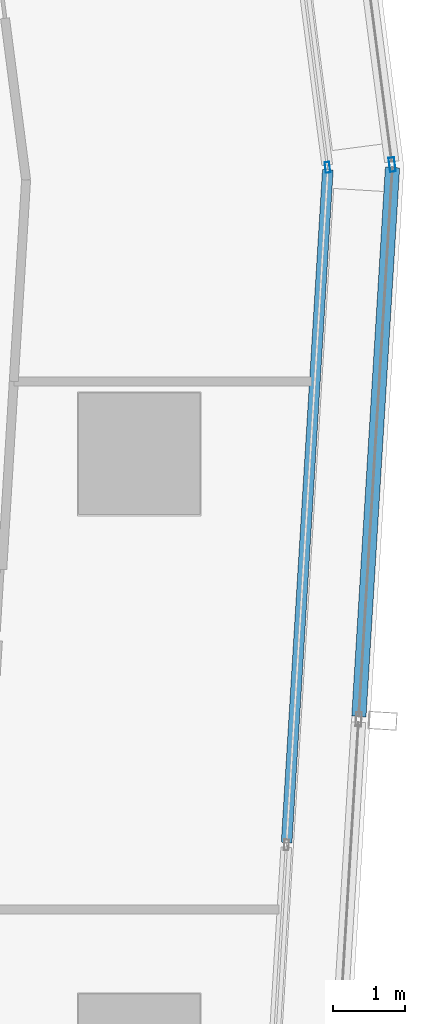
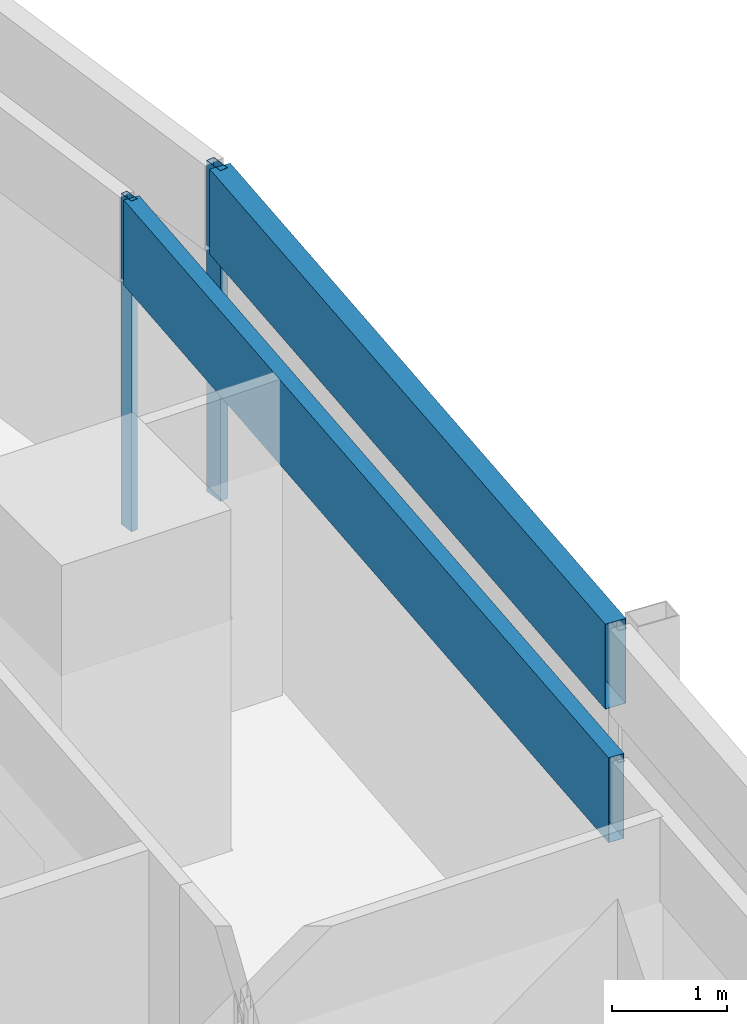
# One storey, part 25 of 40: 4 members, 4 elements without a shape of their own.
"""IFC4 building model written with IfcOpenShell, lengths in metres."""

import ifcopenshell
import ifcopenshell.guid

model = None  # the IFC model being written
_history = None  # IfcOwnerHistory: only IFC2X3 demands one
_inside = {}  # id of a spatial element -> (the spatial element, [elements in it])
_under = {}  # id of a project, library or spatial element -> (it, [spatial elements below it])
_declared = {}  # id of a project -> (the project, [libraries it declares])
_typed = {}  # id of a type object -> (the type object, [elements of that type])
_made_of = {}  # id of a material, layer set ... -> (it, [elements and type objects made of it])


def new_model(schema):
    """Start an empty IFC model of exactly this schema.

    Asked for "IFC4X3", IfcOpenShell would pick the latest addendum, in which some entities
    have other attributes; the version numbers below select the first issue.
    IFC2X3 requires an IfcOwnerHistory on every rooted entity: one is made here for all.
    """
    global model, _history
    if schema == "IFC4X3":
        model = ifcopenshell.file(schema_version=(4, 3, 0, 0))
    else:
        model = ifcopenshell.file(schema=schema)
    _inside.clear()
    _under.clear()
    _declared.clear()
    _typed.clear()
    _made_of.clear()
    _history = None
    if model.schema == "IFC2X3":
        org = make("IfcOrganization", Name="unknown")
        user = make(
            "IfcPersonAndOrganization",
            ThePerson=make("IfcPerson", FamilyName="unknown"),
            TheOrganization=org,
        )
        app = make(
            "IfcApplication",
            ApplicationDeveloper=org,
            Version="unknown",
            ApplicationFullName="unknown",
            ApplicationIdentifier="unknown",
        )
        _history = make(
            "IfcOwnerHistory",
            OwningUser=user,
            OwningApplication=app,
            ChangeAction="ADDED",
            CreationDate=0,
        )
    return model


def make(cls, **values):
    """One entity of the class cls with the attributes given. An attribute that is None is left unset."""
    return model.create_entity(
        cls, **{name: value for name, value in values.items() if value is not None}
    )


def rooted(cls, **values):
    """An entity with a GlobalId (a new one), such as an element, a storey or a relation."""
    return make(cls, GlobalId=ifcopenshell.guid.new(), OwnerHistory=_history, **values)


def si_unit(unit_type, name, prefix=None):
    """IfcSIUnit, for example si_unit("LENGTHUNIT", "METRE", prefix="MILLI")."""
    return make("IfcSIUnit", UnitType=unit_type, Prefix=prefix, Name=name)


def assignment(units):
    """IfcUnitAssignment: the units of a project."""
    return None if units is None else make("IfcUnitAssignment", Units=units)


def point(xyz):
    """IfcCartesianPoint."""
    return None if xyz is None else make("IfcCartesianPoint", Coordinates=xyz)


def direction(xyz):
    """IfcDirection."""
    return None if xyz is None else make("IfcDirection", DirectionRatios=xyz)


def frame(location, z_axis=None, x_axis=None):
    """IfcAxis2Placement3D, a coordinate frame: its origin and axes. An axis left out is left unset."""
    return make(
        "IfcAxis2Placement3D",
        Location=point(location),
        Axis=direction(z_axis),
        RefDirection=direction(x_axis),
    )


def frame_2d(location, x_axis=None):
    """IfcAxis2Placement2D, a coordinate frame in the plane: its origin and x axis."""
    return make(
        "IfcAxis2Placement2D", Location=point(location), RefDirection=direction(x_axis)
    )


def origin():
    """The frame at (0, 0, 0) with its axes left unset."""
    return frame((0.0, 0.0, 0.0))


def origin_2d():
    """The frame at (0, 0) in the plane with its x axis left unset."""
    return frame_2d((0.0, 0.0))


def place(relative_to, where):
    """IfcLocalPlacement: puts the frame where relative to a parent placement (None: the world)."""
    return make(
        "IfcLocalPlacement", PlacementRelTo=relative_to, RelativePlacement=where
    )


def context(
    kind, dimensions, precision=None, world=None, true_north=None, identifier=None
):
    """IfcGeometricRepresentationContext, for example the 3D "Model" context."""
    return make(
        "IfcGeometricRepresentationContext",
        ContextIdentifier=identifier,
        ContextType=kind,
        CoordinateSpaceDimension=dimensions,
        Precision=precision,
        WorldCoordinateSystem=world,
        TrueNorth=true_north,
    )


def subcontext(parent, identifier, kind, view, scale=None):
    """IfcGeometricRepresentationSubContext, for example "Body" below "Model"."""
    return make(
        "IfcGeometricRepresentationSubContext",
        ContextIdentifier=identifier,
        ContextType=kind,
        ParentContext=parent,
        TargetScale=scale,
        TargetView=view,
    )


def project(units=None, contexts=None):
    """IfcProject with its units and contexts."""
    return rooted(
        "IfcProject",
        Name="project",
        RepresentationContexts=contexts,
        UnitsInContext=assignment(units),
    )


def spatial(cls, under=None, at=None, **own):
    """A site, building, storey or space (cls), placed at a placement, below another one or the project."""
    s = rooted(cls, ObjectPlacement=at, **own)
    if under is not None:
        _under.setdefault(under.id(), (under, []))[1].append(s)
    return s


def profile(cls, at=None, kind="AREA", **sizes):
    """A parametric profile (cls). Its sizes go by their IFC names, for example OverallWidth=200.0."""
    return make(cls, ProfileType=kind, Position=at, **sizes)


def hollow_rectangle(**sizes):
    """IfcRectangleHollowProfileDef."""
    return profile("IfcRectangleHollowProfileDef", **sizes)


def extrude(swept, where, along, depth):
    """IfcExtrudedAreaSolid: the profile swept, set in the frame where, extruded along a direction by depth."""
    return make(
        "IfcExtrudedAreaSolid",
        SweptArea=swept,
        Position=where,
        ExtrudedDirection=direction(along),
        Depth=depth,
    )


def shape(context_of_items, identifier, shape_type, items):
    """IfcShapeRepresentation: the items that make up one representation, for example the "Body"."""
    return make(
        "IfcShapeRepresentation",
        ContextOfItems=context_of_items,
        RepresentationIdentifier=identifier,
        RepresentationType=shape_type,
        Items=items,
    )


def material(Name=None, Category=None):
    """IfcMaterial."""
    return make("IfcMaterial", Name=Name, Category=Category)


def material_profile(
    of_material, cross_section, Name=None, Category=None, Priority=None
):
    """IfcMaterialProfile: a cross section and its material."""
    return make(
        "IfcMaterialProfile",
        Name=Name,
        Material=of_material,
        Profile=cross_section,
        Priority=Priority,
        Category=Category,
    )


def profile_set(profiles, Name=None, composite=None):
    """IfcMaterialProfileSet."""
    return make(
        "IfcMaterialProfileSet",
        Name=Name,
        MaterialProfiles=profiles,
        CompositeProfile=composite,
    )


def made_of(thing, what):
    """Note that an element or type object is made of a material, layer set ...; save() writes the relation."""
    if what is not None:
        _made_of.setdefault(what.id(), (what, []))[1].append(thing)
    return thing


def type_object(cls, material=None, **own):
    """A type object (cls), such as IfcWallType, which elements share."""
    return made_of(rooted(cls, **own), material)


def element(
    cls,
    number,
    at=None,
    inside=None,
    cuts=None,
    type_object=None,
    material=None,
    context=None,
    identifier="Body",
    shape_type=None,
    held_by="IfcProductDefinitionShape",
    body=None,
    shapes=None,
    **own,
):
    """One element of the class cls, such as IfcWall. Its Tag is "e" and its number.

    at: its placement. inside: the storey or other place that contains it. cuts: it is an
    opening in that element (IfcRelVoidsElement). A single representation is given by context,
    identifier, shape_type and body (its items); several are given by shapes. held_by: the class
    of the entity that holds the representations. save() writes the other relations.
    """
    e = rooted(cls, Tag="e%d" % number, ObjectPlacement=at, **own)
    if body is not None:
        shapes = [shape(context, identifier, shape_type, body)]
    if shapes is not None:
        e.Representation = make(held_by, Representations=shapes)
    if inside is not None:
        _inside.setdefault(inside.id(), (inside, []))[1].append(e)
    if cuts is not None:
        rooted(
            "IfcRelVoidsElement", RelatingBuildingElement=cuts, RelatedOpeningElement=e
        )
    if type_object is not None:
        _typed.setdefault(type_object.id(), (type_object, []))[1].append(e)
    return made_of(e, material)


def aggregate(whole, parts):
    """IfcRelAggregates: a whole, such as a stair, and the parts it consists of."""
    return rooted("IfcRelAggregates", RelatingObject=whole, RelatedObjects=parts)


def save(model, path):
    """Write the relations noted so far, then the file.

    IfcRelAggregates (storeys below a building ...), IfcRelContainedInSpatialStructure (elements
    in a storey), IfcRelDefinesByType, IfcRelAssociatesMaterial and IfcRelDeclares: one each for
    every whole, place, type object, material and project.
    """
    for whole, parts in _under.values():
        aggregate(whole, parts)
    for where, things in _inside.values():
        rooted(
            "IfcRelContainedInSpatialStructure",
            RelatedElements=things,
            RelatingStructure=where,
        )
    for kind, things in _typed.values():
        rooted("IfcRelDefinesByType", RelatedObjects=things, RelatingType=kind)
    for what, things in _made_of.values():
        rooted("IfcRelAssociatesMaterial", RelatedObjects=things, RelatingMaterial=what)
    for by, libraries in _declared.values():
        rooted("IfcRelDeclares", RelatingContext=by, RelatedDefinitions=libraries)
    model.write(path)


model = new_model("IFC4")

# Units and contexts
model_context = context("Model", 3, precision=1e-05, world=origin(), true_north=direction((0.0, 1.0)))
body_context = subcontext(model_context, "Body", "Model", "MODEL_VIEW")
ifc_project = project(units=[si_unit("LENGTHUNIT", "METRE"), si_unit("AREAUNIT", "SQUARE_METRE"), si_unit("VOLUMEUNIT", "CUBIC_METRE"), si_unit("PLANEANGLEUNIT", "RADIAN"), si_unit("MASSUNIT", "GRAM", prefix="KILO")], contexts=[model_context])

# Site, building, storey
site_placement = place(None, origin())
site = spatial("IfcSite", under=ifc_project, at=site_placement, CompositionType="ELEMENT")
building_placement = place(site_placement, origin())
building = spatial("IfcBuilding", under=site, at=building_placement, Name="Rekha Terrace Tower", CompositionType="ELEMENT")
storey_placement = place(building_placement, frame((0.0, 0.0, 121.550048828125)))
storey = spatial("IfcBuildingStorey", under=building, at=storey_placement, Name="L30", CompositionType="ELEMENT", Elevation=121.550048828125)

# Curtain wall, member
ifc_material_1 = material(Name="Aluminium framing", Category="aluminium")
curtain_wall_type_1 = type_object("IfcCurtainWallType", Name="CW1 double skin inner glazing", PredefinedType="USERDEFINED", material=ifc_material_1)
curtain_wall_1_placement = place(storey_placement, origin())
curtain_wall_1 = element("IfcCurtainWall", 1, at=curtain_wall_1_placement, inside=storey, type_object=curtain_wall_type_1, Name="CW1 double skin inner glazing", ObjectType="DOUBLE SKIN INNER GLAZING", PredefinedType="USERDEFINED")
ifc_material_2 = material(Name="Aluminium mullion section", Category="aluminium")
ifc_material_profile_1 = material_profile(ifc_material_2, hollow_rectangle(XDim=0.06494140625, YDim=0.14990234375, WallThickness=0.00390625, at=origin_2d()), Name="AL RHS 65x150")
ifc_profile_set_1 = profile_set([ifc_material_profile_1], Name="Aluminium mullion section")
member_type_1 = type_object("IfcMemberType", Name="CW1 mullion RHS 65 x 150", PredefinedType="MULLION", material=ifc_profile_set_1)
member_1_placement = place(storey_placement, frame((69.83154296875, 46.00390625, 0.0), z_axis=(0.0, 0.0, 1.0), x_axis=(-0.991629186237, -0.129118383675, 0.0)))
member_1 = element("IfcMember", 2, at=member_1_placement, type_object=member_type_1, Name="CW1 mullion 1", PredefinedType="MULLION", context=body_context, shape_type="SweptSolid", body=[
    extrude(hollow_rectangle(XDim=0.06494140625, YDim=0.14990234375, WallThickness=0.00390625, at=origin_2d()), origin(), (0.0, 0.0, 1.0), 3.5),
])
aggregate(curtain_wall_1, [member_1])

curtain_wall_2_placement = place(storey_placement, origin())
curtain_wall_2 = element("IfcCurtainWall", 3, at=curtain_wall_2_placement, inside=storey, type_object=curtain_wall_type_1, Name="CW1 double skin inner glazing", ObjectType="DOUBLE SKIN INNER GLAZING", PredefinedType="USERDEFINED")
ifc_material_3 = material(Name="Insulated aluminium spandrel box", Category="aluminium")
ifc_material_profile_2 = material_profile(ifc_material_3, hollow_rectangle(XDim=0.14990234375, YDim=0.89990234375, WallThickness=0.0029296875, at=origin_2d()), Name="AL SPANDREL BOX 150x900")
ifc_profile_set_2 = profile_set([ifc_material_profile_2], Name="Insulated aluminium spandrel box")
member_type_2 = type_object("IfcMemberType", Name="CW1 spandrel transom 150 x 900", PredefinedType="USERDEFINED", material=ifc_profile_set_2)
member_2_placement = place(storey_placement, frame((69.259765625, 36.569091796875, 3.050048828125), z_axis=(0.061137463969, 0.998129355594, 0.0), x_axis=(-0.998129355594, 0.061137463969, 0.0)))
member_2 = element("IfcMember", 4, at=member_2_placement, type_object=member_type_2, Name="CW1 spandrel transom 3", ObjectType="TRANSOM", PredefinedType="USERDEFINED", context=body_context, shape_type="SweptSolid", body=[
    extrude(hollow_rectangle(XDim=0.14990234375, YDim=0.89990234375, WallThickness=0.0029296875, at=origin_2d()), origin(), (0.0, 0.0, 1.0), 9.420166015625),
])
aggregate(curtain_wall_2, [member_2])

curtain_wall_type_2 = type_object("IfcCurtainWallType", Name="CW2 double skin outer glazing", PredefinedType="USERDEFINED", material=ifc_material_1)
curtain_wall_3_placement = place(storey_placement, origin())
curtain_wall_3 = element("IfcCurtainWall", 5, at=curtain_wall_3_placement, inside=storey, type_object=curtain_wall_type_2, Name="CW2 double skin outer glazing", ObjectType="DOUBLE SKIN OUTER GLAZING", PredefinedType="USERDEFINED")
ifc_material_profile_3 = material_profile(ifc_material_2, hollow_rectangle(XDim=0.080078125, YDim=0.199951171875, WallThickness=0.00390625, at=origin_2d()), Name="AL RHS 80x200")
ifc_profile_set_3 = profile_set([ifc_material_profile_3], Name="Aluminium mullion section")
member_type_3 = type_object("IfcMemberType", Name="CW2 mullion RHS 80 x 200", PredefinedType="MULLION", material=ifc_profile_set_3)
member_3_placement = place(storey_placement, frame((70.734130859375, 46.042236328125, 0.0), z_axis=(0.0, 0.0, 1.0), x_axis=(-0.991629186244, -0.129118383623, 0.0)))
member_3 = element("IfcMember", 6, at=member_3_placement, type_object=member_type_3, Name="CW2 mullion 1", PredefinedType="MULLION", context=body_context, shape_type="SweptSolid", body=[
    extrude(hollow_rectangle(XDim=0.080078125, YDim=0.199951171875, WallThickness=0.00390625, at=origin_2d()), origin(), (0.0, 0.0, 1.0), 3.5),
])
aggregate(curtain_wall_3, [member_3])

curtain_wall_4_placement = place(storey_placement, origin())
curtain_wall_4 = element("IfcCurtainWall", 7, at=curtain_wall_4_placement, inside=storey, type_object=curtain_wall_type_2, Name="CW2 double skin outer glazing", ObjectType="DOUBLE SKIN OUTER GLAZING", PredefinedType="USERDEFINED")
ifc_material_profile_4 = material_profile(ifc_material_3, hollow_rectangle(XDim=0.199951171875, YDim=0.89990234375, WallThickness=0.0029296875, at=origin_2d()), Name="AL SPANDREL BOX 200x900")
ifc_profile_set_4 = profile_set([ifc_material_profile_4], Name="Insulated aluminium spandrel box")
member_type_4 = type_object("IfcMemberType", Name="CW2 spandrel transom 200 x 900", PredefinedType="USERDEFINED", material=ifc_profile_set_4)
member_4_placement = place(storey_placement, frame((70.269287109375, 38.330322265625, 3.050048828125), z_axis=(0.061142352683, 0.998129056139, 0.0), x_axis=(-0.998129056139, 0.061142352683, 0.0)))
member_4 = element("IfcMember", 8, at=member_4_placement, type_object=member_type_4, Name="CW2 spandrel transom 4", ObjectType="TRANSOM", PredefinedType="USERDEFINED", context=body_context, shape_type="SweptSolid", body=[
    extrude(hollow_rectangle(XDim=0.199951171875, YDim=0.89990234375, WallThickness=0.0029296875, at=origin_2d()), origin(), (0.0, 0.0, 1.0), 7.6865234375),
])
aggregate(curtain_wall_4, [member_4])

save(model, "model.ifc")
